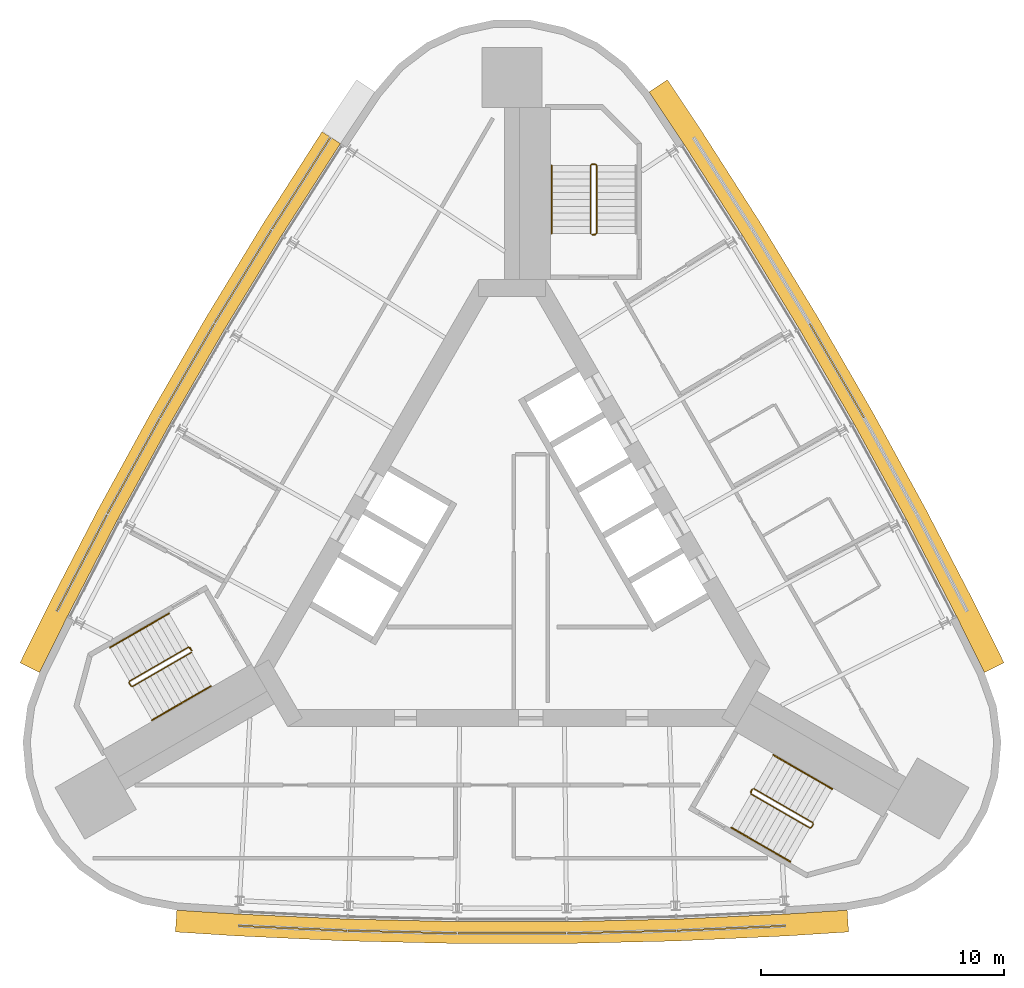
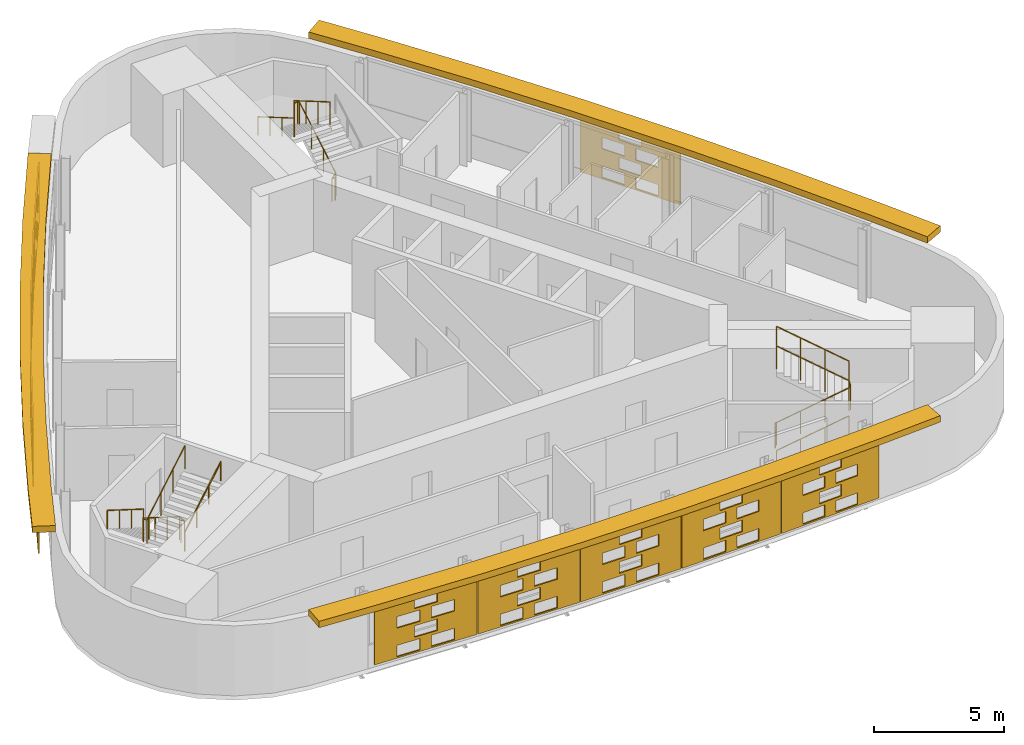
# One storey, part 9 of 10: 14 shading devices, 8 railings.
"""IFC4 building model written with IfcOpenShell, lengths in metres."""

import ifcopenshell
import ifcopenshell.guid

model = None  # the IFC model being written
_history = None  # IfcOwnerHistory: only IFC2X3 demands one
_inside = {}  # id of a spatial element -> (the spatial element, [elements in it])
_under = {}  # id of a project, library or spatial element -> (it, [spatial elements below it])
_declared = {}  # id of a project -> (the project, [libraries it declares])
_typed = {}  # id of a type object -> (the type object, [elements of that type])
_made_of = {}  # id of a material, layer set ... -> (it, [elements and type objects made of it])


def new_model(schema):
    """Start an empty IFC model of exactly this schema.

    Asked for "IFC4X3", IfcOpenShell would pick the latest addendum, in which some entities
    have other attributes; the version numbers below select the first issue.
    IFC2X3 requires an IfcOwnerHistory on every rooted entity: one is made here for all.
    """
    global model, _history
    if schema == "IFC4X3":
        model = ifcopenshell.file(schema_version=(4, 3, 0, 0))
    else:
        model = ifcopenshell.file(schema=schema)
    _inside.clear()
    _under.clear()
    _declared.clear()
    _typed.clear()
    _made_of.clear()
    _history = None
    if model.schema == "IFC2X3":
        org = make("IfcOrganization", Name="unknown")
        user = make(
            "IfcPersonAndOrganization",
            ThePerson=make("IfcPerson", FamilyName="unknown"),
            TheOrganization=org,
        )
        app = make(
            "IfcApplication",
            ApplicationDeveloper=org,
            Version="unknown",
            ApplicationFullName="unknown",
            ApplicationIdentifier="unknown",
        )
        _history = make(
            "IfcOwnerHistory",
            OwningUser=user,
            OwningApplication=app,
            ChangeAction="ADDED",
            CreationDate=0,
        )
    return model


def make(cls, **values):
    """One entity of the class cls with the attributes given. An attribute that is None is left unset."""
    return model.create_entity(
        cls, **{name: value for name, value in values.items() if value is not None}
    )


def rooted(cls, **values):
    """An entity with a GlobalId (a new one), such as an element, a storey or a relation."""
    return make(cls, GlobalId=ifcopenshell.guid.new(), OwnerHistory=_history, **values)


def si_unit(unit_type, name, prefix=None):
    """IfcSIUnit, for example si_unit("LENGTHUNIT", "METRE", prefix="MILLI")."""
    return make("IfcSIUnit", UnitType=unit_type, Prefix=prefix, Name=name)


def assignment(units):
    """IfcUnitAssignment: the units of a project."""
    return None if units is None else make("IfcUnitAssignment", Units=units)


def point(xyz):
    """IfcCartesianPoint."""
    return None if xyz is None else make("IfcCartesianPoint", Coordinates=xyz)


def direction(xyz):
    """IfcDirection."""
    return None if xyz is None else make("IfcDirection", DirectionRatios=xyz)


def frame(location, z_axis=None, x_axis=None):
    """IfcAxis2Placement3D, a coordinate frame: its origin and axes. An axis left out is left unset."""
    return make(
        "IfcAxis2Placement3D",
        Location=point(location),
        Axis=direction(z_axis),
        RefDirection=direction(x_axis),
    )


def frame_2d(location, x_axis=None):
    """IfcAxis2Placement2D, a coordinate frame in the plane: its origin and x axis."""
    return make(
        "IfcAxis2Placement2D", Location=point(location), RefDirection=direction(x_axis)
    )


def origin():
    """The frame at (0, 0, 0) with its axes left unset."""
    return frame((0.0, 0.0, 0.0))


def origin_2d():
    """The frame at (0, 0) in the plane with its x axis left unset."""
    return frame_2d((0.0, 0.0))


def place(relative_to, where):
    """IfcLocalPlacement: puts the frame where relative to a parent placement (None: the world)."""
    return make(
        "IfcLocalPlacement", PlacementRelTo=relative_to, RelativePlacement=where
    )


def context(
    kind, dimensions, precision=None, world=None, true_north=None, identifier=None
):
    """IfcGeometricRepresentationContext, for example the 3D "Model" context."""
    return make(
        "IfcGeometricRepresentationContext",
        ContextIdentifier=identifier,
        ContextType=kind,
        CoordinateSpaceDimension=dimensions,
        Precision=precision,
        WorldCoordinateSystem=world,
        TrueNorth=true_north,
    )


def subcontext(parent, identifier, kind, view, scale=None):
    """IfcGeometricRepresentationSubContext, for example "Body" below "Model"."""
    return make(
        "IfcGeometricRepresentationSubContext",
        ContextIdentifier=identifier,
        ContextType=kind,
        ParentContext=parent,
        TargetScale=scale,
        TargetView=view,
    )


def project(units=None, contexts=None):
    """IfcProject with its units and contexts."""
    return rooted(
        "IfcProject",
        Name="project",
        RepresentationContexts=contexts,
        UnitsInContext=assignment(units),
    )


def spatial(cls, under=None, at=None, **own):
    """A site, building, storey or space (cls), placed at a placement, below another one or the project."""
    s = rooted(cls, ObjectPlacement=at, **own)
    if under is not None:
        _under.setdefault(under.id(), (under, []))[1].append(s)
    return s


def polyline(points):
    """IfcPolyline through the points."""
    return make("IfcPolyline", Points=[point(p) for p in points])


def profile(cls, at=None, kind="AREA", **sizes):
    """A parametric profile (cls). Its sizes go by their IFC names, for example OverallWidth=200.0."""
    return make(cls, ProfileType=kind, Position=at, **sizes)


def circle(**sizes):
    """IfcCircleProfileDef."""
    return profile("IfcCircleProfileDef", **sizes)


def outline(outer, holes=None, kind="AREA"):
    """IfcArbitraryClosedProfileDef: a profile drawn as a closed curve; with holes, ...WithVoids."""
    if holes is None:
        return make("IfcArbitraryClosedProfileDef", ProfileType=kind, OuterCurve=outer)
    return make(
        "IfcArbitraryProfileDefWithVoids",
        ProfileType=kind,
        OuterCurve=outer,
        InnerCurves=holes,
    )


def extrude(swept, where, along, depth):
    """IfcExtrudedAreaSolid: the profile swept, set in the frame where, extruded along a direction by depth."""
    return make(
        "IfcExtrudedAreaSolid",
        SweptArea=swept,
        Position=where,
        ExtrudedDirection=direction(along),
        Depth=depth,
    )


def shape(context_of_items, identifier, shape_type, items):
    """IfcShapeRepresentation: the items that make up one representation, for example the "Body"."""
    return make(
        "IfcShapeRepresentation",
        ContextOfItems=context_of_items,
        RepresentationIdentifier=identifier,
        RepresentationType=shape_type,
        Items=items,
    )


def material(Name=None, Category=None):
    """IfcMaterial."""
    return make("IfcMaterial", Name=Name, Category=Category)


def material_profile(
    of_material, cross_section, Name=None, Category=None, Priority=None
):
    """IfcMaterialProfile: a cross section and its material."""
    return make(
        "IfcMaterialProfile",
        Name=Name,
        Material=of_material,
        Profile=cross_section,
        Priority=Priority,
        Category=Category,
    )


def profile_set(profiles, Name=None, composite=None):
    """IfcMaterialProfileSet."""
    return make(
        "IfcMaterialProfileSet",
        Name=Name,
        MaterialProfiles=profiles,
        CompositeProfile=composite,
    )


def made_of(thing, what):
    """Note that an element or type object is made of a material, layer set ...; save() writes the relation."""
    if what is not None:
        _made_of.setdefault(what.id(), (what, []))[1].append(thing)
    return thing


def type_object(cls, material=None, **own):
    """A type object (cls), such as IfcWallType, which elements share."""
    return made_of(rooted(cls, **own), material)


def element(
    cls,
    number,
    at=None,
    inside=None,
    cuts=None,
    type_object=None,
    material=None,
    context=None,
    identifier="Body",
    shape_type=None,
    held_by="IfcProductDefinitionShape",
    body=None,
    shapes=None,
    **own,
):
    """One element of the class cls, such as IfcWall. Its Tag is "e" and its number.

    at: its placement. inside: the storey or other place that contains it. cuts: it is an
    opening in that element (IfcRelVoidsElement). A single representation is given by context,
    identifier, shape_type and body (its items); several are given by shapes. held_by: the class
    of the entity that holds the representations. save() writes the other relations.
    """
    e = rooted(cls, Tag="e%d" % number, ObjectPlacement=at, **own)
    if body is not None:
        shapes = [shape(context, identifier, shape_type, body)]
    if shapes is not None:
        e.Representation = make(held_by, Representations=shapes)
    if inside is not None:
        _inside.setdefault(inside.id(), (inside, []))[1].append(e)
    if cuts is not None:
        rooted(
            "IfcRelVoidsElement", RelatingBuildingElement=cuts, RelatedOpeningElement=e
        )
    if type_object is not None:
        _typed.setdefault(type_object.id(), (type_object, []))[1].append(e)
    return made_of(e, material)


def aggregate(whole, parts):
    """IfcRelAggregates: a whole, such as a stair, and the parts it consists of."""
    return rooted("IfcRelAggregates", RelatingObject=whole, RelatedObjects=parts)


def save(model, path):
    """Write the relations noted so far, then the file.

    IfcRelAggregates (storeys below a building ...), IfcRelContainedInSpatialStructure (elements
    in a storey), IfcRelDefinesByType, IfcRelAssociatesMaterial and IfcRelDeclares: one each for
    every whole, place, type object, material and project.
    """
    for whole, parts in _under.values():
        aggregate(whole, parts)
    for where, things in _inside.values():
        rooted(
            "IfcRelContainedInSpatialStructure",
            RelatedElements=things,
            RelatingStructure=where,
        )
    for kind, things in _typed.values():
        rooted("IfcRelDefinesByType", RelatedObjects=things, RelatingType=kind)
    for what, things in _made_of.values():
        rooted("IfcRelAssociatesMaterial", RelatedObjects=things, RelatingMaterial=what)
    for by, libraries in _declared.values():
        rooted("IfcRelDeclares", RelatingContext=by, RelatedDefinitions=libraries)
    model.write(path)


model = new_model("IFC4")

# Units and contexts
model_context = context("Model", 3, precision=1e-05, world=origin(), true_north=direction((0.0, 1.0)))
body_context = subcontext(model_context, "Body", "Model", "MODEL_VIEW")
ifc_project = project(units=[si_unit("LENGTHUNIT", "METRE"), si_unit("AREAUNIT", "SQUARE_METRE"), si_unit("VOLUMEUNIT", "CUBIC_METRE"), si_unit("PLANEANGLEUNIT", "RADIAN"), si_unit("MASSUNIT", "GRAM", prefix="KILO")], contexts=[model_context])

# Site, building, storey
site_placement = place(None, origin())
site = spatial("IfcSite", under=ifc_project, at=site_placement, CompositionType="ELEMENT")
building_placement = place(site_placement, origin())
building = spatial("IfcBuilding", under=site, at=building_placement, Name="Noor Cloister Tower", CompositionType="ELEMENT")
storey_placement = place(building_placement, frame((0.0, 0.0, 243.60009765625)))
storey = spatial("IfcBuildingStorey", under=building, at=storey_placement, Name="L63", CompositionType="ELEMENT", Elevation=243.60009765625)

# Shading devices
ifc_material_1 = material(Name="Limestone", Category="masonry")
ifc_material_profile = material_profile(ifc_material_1, outline(polyline([(-2.22998046875, -1.35009765625), (2.22998046875, -1.35009765625), (2.22998046875, 1.35009765625), (-2.22998046875, 1.35009765625), (-2.22998046875, -1.35009765625)]), holes=[polyline([(-1.25, -1.282470703125), (-0.25, -1.282470703125), (-0.25, -0.742431640625), (-1.25, -0.742431640625), (-1.25, -1.282470703125)]), polyline([(0.25, -1.282470703125), (1.25, -1.282470703125), (1.25, -0.742431640625), (0.25, -0.742431640625), (0.25, -1.282470703125)]), polyline([(-0.5, -0.607421875), (0.5, -0.607421875), (0.5, -0.0673828125), (-0.5, -0.0673828125), (-0.5, -0.607421875)]), polyline([(-1.25, 0.0673828125), (-0.25, 0.0673828125), (-0.25, 0.607421875), (-1.25, 0.607421875), (-1.25, 0.0673828125)]), polyline([(0.25, 0.0673828125), (1.25, 0.0673828125), (1.25, 0.607421875), (0.25, 0.607421875), (0.25, 0.0673828125)]), polyline([(-0.5, 0.742431640625), (0.5, 0.742431640625), (0.5, 1.282470703125), (-0.5, 1.282470703125), (-0.5, 0.742431640625)])]), Name="Woven screen 35 percent open")
ifc_profile_set = profile_set([ifc_material_profile], Name="Limestone")
shading_device_type_1 = type_object("IfcShadingDeviceType", Name="SCREEN woven limestone 35 percent open", PredefinedType="USERDEFINED", material=ifc_profile_set)
for number, where, z_axis, x_axis, name in (
    (1, (-8.649169921875, 15.405517578125, 1.849853515625), (-0.8431579539, 0.537665941617, 0.0), (-0.537665941617, -0.8431579539, 0.0), "SCREEN L63 1"),
    (2, (-11.037109375, 11.57958984375, 1.849853515625), (-0.853884327381, 0.520462828118, 0.0), (-0.520462828118, -0.853884327381, 0.0), "SCREEN L63 2"),
    (3, (-13.336669921875, 7.699951171875, 1.849853515625), (-0.865982457891, 0.500074377092, 0.0), (-0.500074377092, -0.865982457891, 0.0), "SCREEN L63 3"),
):
    element("IfcShadingDevice", number, at=place(storey_placement, frame(where, z_axis=z_axis, x_axis=x_axis)), inside=storey, type_object=shading_device_type_1, Name=name, ObjectType="SCREEN", PredefinedType="USERDEFINED", context=body_context, shape_type="SweptSolid", body=[
        extrude(outline(polyline([(-2.22998046875, -1.35009765625), (2.22998046875, -1.35009765625), (2.22998046875, 1.35009765625), (-2.22998046875, 1.35009765625), (-2.22998046875, -1.35009765625)]), holes=[polyline([(-1.25, -1.282470703125), (-0.25, -1.282470703125), (-0.25, -0.742431640625), (-1.25, -0.742431640625), (-1.25, -1.282470703125)]), polyline([(0.25, -1.282470703125), (1.25, -1.282470703125), (1.25, -0.742431640625), (0.25, -0.742431640625), (0.25, -1.282470703125)]), polyline([(-0.5, -0.607421875), (0.5, -0.607421875), (0.5, -0.0673828125), (-0.5, -0.0673828125), (-0.5, -0.607421875)]), polyline([(-1.25, 0.0673828125), (-0.25, 0.0673828125), (-0.25, 0.607421875), (-1.25, 0.607421875), (-1.25, 0.0673828125)]), polyline([(0.25, 0.0673828125), (1.25, 0.0673828125), (1.25, 0.607421875), (0.25, 0.607421875), (0.25, 0.0673828125)]), polyline([(-0.5, 0.742431640625), (0.5, 0.742431640625), (0.5, 1.282470703125), (-0.5, 1.282470703125), (-0.5, 0.742431640625)])]), origin(), (0.0, 0.0, 1.0), 0.06005859375),
    ])
shading_device_1_placement = place(storey_placement, frame((-15.546875, 3.768798828125, 1.849853515625), z_axis=(-0.876645997325, 0.481135942718, 0.0), x_axis=(-0.481135942718, -0.876645997325, 0.0)))
element("IfcShadingDevice", 4, at=shading_device_1_placement, inside=storey, type_object=shading_device_type_1, Name="SCREEN L63 4", ObjectType="SCREEN", PredefinedType="USERDEFINED", context=body_context, shape_type="SweptSolid", body=[
    extrude(outline(polyline([(-2.22998046875, -1.35009765625), (2.22998046875, -1.35009765625), (2.22998046875, 1.35009765625), (-2.22998046875, 1.35009765625), (-2.22998046875, -1.35009765625)]), holes=[polyline([(-1.25, -1.282470703125), (-0.25, -1.282470703125), (-0.25, -0.742431640625), (-1.25, -0.742431640625), (-1.25, -1.282470703125)]), polyline([(0.25, -1.282470703125), (1.25, -1.282470703125), (1.25, -0.742431640625), (0.25, -0.742431640625), (0.25, -1.282470703125)]), polyline([(-0.5, -0.607421875), (0.5, -0.607421875), (0.5, -0.0673828125), (-0.5, -0.0673828125), (-0.5, -0.607421875)]), polyline([(-1.25, 0.0673828125), (-0.25, 0.0673828125), (-0.25, 0.607421875), (-1.25, 0.607421875), (-1.25, 0.0673828125)]), polyline([(0.25, 0.0673828125), (1.25, 0.0673828125), (1.25, 0.607421875), (0.25, 0.607421875), (0.25, 0.0673828125)]), polyline([(-0.5, 0.742431640625), (0.5, 0.742431640625), (0.5, 1.282470703125), (-0.5, 1.282470703125), (-0.5, 0.742431640625)])]), origin(), (0.0, 0.0, 1.0), 0.059814453125),
])
for number, where, z_axis, x_axis, name in (
    (5, (-17.666259765625, -0.212158203125, 1.849853515625), (-0.887816162103, 0.460198285861, 0.0), (-0.460198285861, -0.887816162103, 0.0), "SCREEN L63 5"),
    (6, (-9.016845703125, -15.193115234375, 1.849853515625), (-0.044670810456, -0.999001761106, 0.0), (0.999001761106, -0.044670810456, 0.0), "SCREEN L63 1"),
):
    element("IfcShadingDevice", number, at=place(storey_placement, frame(where, z_axis=z_axis, x_axis=x_axis)), inside=storey, type_object=shading_device_type_1, Name=name, ObjectType="SCREEN", PredefinedType="USERDEFINED", context=body_context, shape_type="SweptSolid", body=[
        extrude(outline(polyline([(-2.22998046875, -1.35009765625), (2.22998046875, -1.35009765625), (2.22998046875, 1.35009765625), (-2.22998046875, 1.35009765625), (-2.22998046875, -1.35009765625)]), holes=[polyline([(-1.25, -1.282470703125), (-0.25, -1.282470703125), (-0.25, -0.742431640625), (-1.25, -0.742431640625), (-1.25, -1.282470703125)]), polyline([(0.25, -1.282470703125), (1.25, -1.282470703125), (1.25, -0.742431640625), (0.25, -0.742431640625), (0.25, -1.282470703125)]), polyline([(-0.5, -0.607421875), (0.5, -0.607421875), (0.5, -0.0673828125), (-0.5, -0.0673828125), (-0.5, -0.607421875)]), polyline([(-1.25, 0.0673828125), (-0.25, 0.0673828125), (-0.25, 0.607421875), (-1.25, 0.607421875), (-1.25, 0.0673828125)]), polyline([(0.25, 0.0673828125), (1.25, 0.0673828125), (1.25, 0.607421875), (0.25, 0.607421875), (0.25, 0.0673828125)]), polyline([(-0.5, 0.742431640625), (0.5, 0.742431640625), (0.5, 1.282470703125), (-0.5, 1.282470703125), (-0.5, 0.742431640625)])]), origin(), (0.0, 0.0, 1.0), 0.06005859375),
    ])
shading_device_2_placement = place(storey_placement, frame((-4.509521484375, -15.348388671875, 1.849853515625), z_axis=(-0.024482455341, -0.999700259768, 0.0), x_axis=(0.999700259768, -0.024482455341, 0.0)))
element("IfcShadingDevice", 7, at=shading_device_2_placement, inside=storey, type_object=shading_device_type_1, Name="SCREEN L63 2", ObjectType="SCREEN", PredefinedType="USERDEFINED", context=body_context, shape_type="SweptSolid", body=[
    extrude(outline(polyline([(-2.22998046875, -1.35009765625), (2.22998046875, -1.35009765625), (2.22998046875, 1.35009765625), (-2.22998046875, 1.35009765625), (-2.22998046875, -1.35009765625)]), holes=[polyline([(-1.25, -1.282470703125), (-0.25, -1.282470703125), (-0.25, -0.742431640625), (-1.25, -0.742431640625), (-1.25, -1.282470703125)]), polyline([(0.25, -1.282470703125), (1.25, -1.282470703125), (1.25, -0.742431640625), (0.25, -0.742431640625), (0.25, -1.282470703125)]), polyline([(-0.5, -0.607421875), (0.5, -0.607421875), (0.5, -0.0673828125), (-0.5, -0.0673828125), (-0.5, -0.607421875)]), polyline([(-1.25, 0.0673828125), (-0.25, 0.0673828125), (-0.25, 0.607421875), (-1.25, 0.607421875), (-1.25, 0.0673828125)]), polyline([(0.25, 0.0673828125), (1.25, 0.0673828125), (1.25, 0.607421875), (0.25, 0.607421875), (0.25, 0.0673828125)]), polyline([(-0.5, 0.742431640625), (0.5, 0.742431640625), (0.5, 1.282470703125), (-0.5, 1.282470703125), (-0.5, 0.742431640625)])]), origin(), (0.0, 0.0, 1.0), 0.059814453125),
])
shading_device_3_placement = place(storey_placement, frame((0.0, -15.39990234375, 1.849853515625), z_axis=(0.0, -1.0, 0.0), x_axis=(1.0, 0.0, 0.0)))
element("IfcShadingDevice", 8, at=shading_device_3_placement, inside=storey, type_object=shading_device_type_1, Name="SCREEN L63 3", ObjectType="SCREEN", PredefinedType="USERDEFINED", context=body_context, shape_type="SweptSolid", body=[
    extrude(outline(polyline([(-2.22998046875, -1.35009765625), (2.22998046875, -1.35009765625), (2.22998046875, 1.35009765625), (-2.22998046875, 1.35009765625), (-2.22998046875, -1.35009765625)]), holes=[polyline([(-1.25, -1.282470703125), (-0.25, -1.282470703125), (-0.25, -0.742431640625), (-1.25, -0.742431640625), (-1.25, -1.282470703125)]), polyline([(0.25, -1.282470703125), (1.25, -1.282470703125), (1.25, -0.742431640625), (0.25, -0.742431640625), (0.25, -1.282470703125)]), polyline([(-0.5, -0.607421875), (0.5, -0.607421875), (0.5, -0.0673828125), (-0.5, -0.0673828125), (-0.5, -0.607421875)]), polyline([(-1.25, 0.0673828125), (-0.25, 0.0673828125), (-0.25, 0.607421875), (-1.25, 0.607421875), (-1.25, 0.0673828125)]), polyline([(0.25, 0.0673828125), (1.25, 0.0673828125), (1.25, 0.607421875), (0.25, 0.607421875), (0.25, 0.0673828125)]), polyline([(-0.5, 0.742431640625), (0.5, 0.742431640625), (0.5, 1.282470703125), (-0.5, 1.282470703125), (-0.5, 0.742431640625)])]), origin(), (0.0, 0.0, 1.0), 0.06005859375),
])
shading_device_4_placement = place(storey_placement, frame((4.509521484375, -15.348388671875, 1.849853515625), z_axis=(0.024482455341, -0.999700259768, 0.0), x_axis=(0.999700259768, 0.024482455341, 0.0)))
element("IfcShadingDevice", 9, at=shading_device_4_placement, inside=storey, type_object=shading_device_type_1, Name="SCREEN L63 4", ObjectType="SCREEN", PredefinedType="USERDEFINED", context=body_context, shape_type="SweptSolid", body=[
    extrude(outline(polyline([(-2.22998046875, -1.35009765625), (2.22998046875, -1.35009765625), (2.22998046875, 1.35009765625), (-2.22998046875, 1.35009765625), (-2.22998046875, -1.35009765625)]), holes=[polyline([(-1.25, -1.282470703125), (-0.25, -1.282470703125), (-0.25, -0.742431640625), (-1.25, -0.742431640625), (-1.25, -1.282470703125)]), polyline([(0.25, -1.282470703125), (1.25, -1.282470703125), (1.25, -0.742431640625), (0.25, -0.742431640625), (0.25, -1.282470703125)]), polyline([(-0.5, -0.607421875), (0.5, -0.607421875), (0.5, -0.0673828125), (-0.5, -0.0673828125), (-0.5, -0.607421875)]), polyline([(-1.25, 0.0673828125), (-0.25, 0.0673828125), (-0.25, 0.607421875), (-1.25, 0.607421875), (-1.25, 0.0673828125)]), polyline([(0.25, 0.0673828125), (1.25, 0.0673828125), (1.25, 0.607421875), (0.25, 0.607421875), (0.25, 0.0673828125)]), polyline([(-0.5, 0.742431640625), (0.5, 0.742431640625), (0.5, 1.282470703125), (-0.5, 1.282470703125), (-0.5, 0.742431640625)])]), origin(), (0.0, 0.0, 1.0), 0.059814453125),
])
for number, where, z_axis, x_axis, name in (
    (10, (9.016845703125, -15.193115234375, 1.849853515625), (0.044670810456, -0.999001761106, 0.0), (0.999001761106, 0.044670810456, 0.0), "SCREEN L63 5"),
    (11, (13.336669921875, 7.699951171875, 1.849853515625), (0.865982457891, 0.500074377092, 0.0), (-0.500074377092, 0.865982457891, 0.0), "SCREEN L63 3"),
):
    element("IfcShadingDevice", number, at=place(storey_placement, frame(where, z_axis=z_axis, x_axis=x_axis)), inside=storey, type_object=shading_device_type_1, Name=name, ObjectType="SCREEN", PredefinedType="USERDEFINED", context=body_context, shape_type="SweptSolid", body=[
        extrude(outline(polyline([(-2.22998046875, -1.35009765625), (2.22998046875, -1.35009765625), (2.22998046875, 1.35009765625), (-2.22998046875, 1.35009765625), (-2.22998046875, -1.35009765625)]), holes=[polyline([(-1.25, -1.282470703125), (-0.25, -1.282470703125), (-0.25, -0.742431640625), (-1.25, -0.742431640625), (-1.25, -1.282470703125)]), polyline([(0.25, -1.282470703125), (1.25, -1.282470703125), (1.25, -0.742431640625), (0.25, -0.742431640625), (0.25, -1.282470703125)]), polyline([(-0.5, -0.607421875), (0.5, -0.607421875), (0.5, -0.0673828125), (-0.5, -0.0673828125), (-0.5, -0.607421875)]), polyline([(-1.25, 0.0673828125), (-0.25, 0.0673828125), (-0.25, 0.607421875), (-1.25, 0.607421875), (-1.25, 0.0673828125)]), polyline([(0.25, 0.0673828125), (1.25, 0.0673828125), (1.25, 0.607421875), (0.25, 0.607421875), (0.25, 0.0673828125)]), polyline([(-0.5, 0.742431640625), (0.5, 0.742431640625), (0.5, 1.282470703125), (-0.5, 1.282470703125), (-0.5, 0.742431640625)])]), origin(), (0.0, 0.0, 1.0), 0.06005859375),
    ])
ifc_material_2 = material(Name="Limestone", Category="masonry")
shading_device_type_2 = type_object("IfcShadingDeviceType", Name="SUNSHADE limestone band 900", PredefinedType="USERDEFINED", material=ifc_material_2)
shading_device_5_placement = place(storey_placement, frame((0.0, 0.0, 3.2998046875)))
element("IfcShadingDevice", 12, at=shading_device_5_placement, inside=storey, type_object=shading_device_type_2, Name="SUNSHADE L63 1", ObjectType="SUNSHADE", PredefinedType="USERDEFINED", context=body_context, shape_type="SweptSolid", body=[
    extrude(outline(polyline([(-7.815185546875, 17.54296875), (-10.246826171875, 13.744384765625), (-12.596435546875, 9.88232421875), (-14.856689453125, 5.967529296875), (-17.026611328125, 2.001953125), (-19.10400390625, -2.010498046875), (-20.2392578125, -4.30322265625), (-19.4326171875, -4.702392578125), (-18.301025390625, -2.417236328125), (-16.232177734375, 1.578857421875), (-14.072021484375, 5.5263671875), (-11.822021484375, 9.423583984375), (-9.4833984375, 13.267822265625), (-7.05712890625, 17.0576171875), (-7.815185546875, 17.54296875)])), origin(), (0.0, 0.0, 1.0), 0.300048828125),
])
shading_device_6_placement = place(storey_placement, frame((0.0, 0.0, 3.2998046875)))
element("IfcShadingDevice", 13, at=shading_device_6_placement, inside=storey, type_object=shading_device_type_2, Name="SUNSHADE L63 2", ObjectType="SUNSHADE", PredefinedType="USERDEFINED", context=body_context, shape_type="SweptSolid", body=[
    extrude(outline(polyline([(-13.84619140625, -15.376220703125), (-11.293212890625, -15.539306640625), (-6.779541015625, -15.746337890625), (-2.26025390625, -15.85009765625), (2.26025390625, -15.85009765625), (6.779541015625, -15.746337890625), (11.293212890625, -15.539306640625), (13.84619140625, -15.376220703125), (13.788818359375, -14.47802734375), (11.243896484375, -14.640625), (6.748779296875, -14.846923828125), (2.25, -14.949951171875), (-2.25, -14.949951171875), (-6.748779296875, -14.846923828125), (-11.243896484375, -14.640625), (-13.788818359375, -14.47802734375), (-13.84619140625, -15.376220703125)])), origin(), (0.0, 0.0, 1.0), 0.300048828125),
])
shading_device_7_placement = place(storey_placement, frame((0.0, 0.0, 3.2998046875)))
element("IfcShadingDevice", 14, at=shading_device_7_placement, inside=storey, type_object=shading_device_type_2, Name="SUNSHADE L63 3", ObjectType="SUNSHADE", PredefinedType="USERDEFINED", context=body_context, shape_type="SweptSolid", body=[
    extrude(outline(polyline([(20.2392578125, -4.30322265625), (19.10400390625, -2.010498046875), (17.026611328125, 2.001953125), (14.856689453125, 5.967529296875), (12.596435546875, 9.88232421875), (10.246826171875, 13.744384765625), (7.810791015625, 17.5498046875), (6.39306640625, 19.67919921875), (5.643798828125, 19.180419921875), (7.05712890625, 17.0576171875), (9.4833984375, 13.267822265625), (11.822021484375, 9.423583984375), (14.072021484375, 5.5263671875), (16.232177734375, 1.578857421875), (18.301025390625, -2.417236328125), (19.4326171875, -4.702392578125), (20.2392578125, -4.30322265625)])), origin(), (0.0, 0.0, 1.0), 0.300048828125),
])

# Railings
ifc_material_3 = material(Name="Stainless steel", Category="steel")
railing_type_1 = type_object("IfcRailingType", Name="Stair guard 1100", PredefinedType="GUARDRAIL", material=ifc_material_3)
railing_1_placement = place(storey_placement, frame((3.435546875, 13.306396484375, 0.0)))
element("IfcRailing", 15, at=railing_1_placement, inside=storey, type_object=railing_type_1, Name="Stair guard ST1 L63", PredefinedType="GUARDRAIL", context=body_context, shape_type="SweptSolid", body=[
    extrude(circle(Radius=0.02392578125, at=origin_2d()), frame((0.0, 0.0, 1.076171875), z_axis=(-1.0, 0.0, 0.0), x_axis=(0.0, -1.0, 0.0)), (0.0, 0.0, 1.0), 0.14990234375),
    extrude(circle(Radius=0.02392578125, at=origin_2d()), frame((-0.14990234375, 0.0, 1.076171875), z_axis=(0.759870394187, 0.190199549216, 0.621627795), x_axis=(-0.242814311512, 0.970072785993, 0.0)), (0.0, 0.0, 1.0), 0.26318359375),
    extrude(circle(Radius=0.02392578125, at=origin_2d()), frame((0.050048828125, 0.050048828125, 1.23974609375), z_axis=(0.0, 0.863393664356, 0.504530851732), x_axis=(-1.0, 0.0, 0.0)), (0.0, 0.0, 1.0), 3.2431640625),
    extrude(circle(Radius=0.02392578125, at=origin_2d()), frame((0.050048828125, 2.85009765625, 2.8759765625), z_axis=(-0.708833529934, 0.705375805398, 0.0), x_axis=(-0.705375805398, -0.708833529934, 0.0)), (0.0, 0.0, 1.0), 0.070556640625),
    extrude(circle(Radius=0.02392578125, at=origin_2d()), frame((0.0, 2.89990234375, 2.8759765625), z_axis=(-1.0, 0.0, 0.0), x_axis=(0.0, -1.0, 0.0)), (0.0, 0.0, 1.0), 0.14990234375),
    extrude(circle(Radius=0.02392578125, at=origin_2d()), frame((-0.14990234375, 2.89990234375, 2.8759765625), z_axis=(-0.280563532951, -0.279194930351, 0.91833234444), x_axis=(0.705375805398, -0.708833529934, 0.0)), (0.0, 0.0, 1.0), 0.178466796875),
    extrude(circle(Radius=0.02392578125, at=origin_2d()), frame((-0.199951171875, 2.85009765625, 3.03955078125), z_axis=(0.0, -0.863393664356, 0.504530851732), x_axis=(1.0, 0.0, 0.0)), (0.0, 0.0, 1.0), 3.2431640625),
    extrude(circle(Radius=0.02099609375, at=origin_2d()), origin(), (0.0, 0.0, 1.0), 1.052001953125),
    extrude(circle(Radius=0.02099609375, at=origin_2d()), frame((-0.14990234375, 0.0, 0.0)), (0.0, 0.0, 1.0), 1.052001953125),
    extrude(circle(Radius=0.02099609375, at=origin_2d()), frame((0.050048828125, 0.050048828125, 0.16357421875)), (0.0, 0.0, 1.0), 1.052001953125),
    extrude(circle(Radius=0.02099609375, at=origin_2d()), frame((0.050048828125, 0.9833984375, 0.708984375)), (0.0, 0.0, 1.0), 1.052001953125),
    extrude(circle(Radius=0.02099609375, at=origin_2d()), frame((0.050048828125, 1.916748046875, 1.25439453125)), (0.0, 0.0, 1.0), 1.052001953125),
    extrude(circle(Radius=0.02099609375, at=origin_2d()), frame((0.050048828125, 2.85009765625, 1.7998046875)), (0.0, 0.0, 1.0), 1.052001953125),
    extrude(circle(Radius=0.02099609375, at=origin_2d()), frame((0.0, 2.89990234375, 1.7998046875)), (0.0, 0.0, 1.0), 1.052001953125),
    extrude(circle(Radius=0.02099609375, at=origin_2d()), frame((-0.14990234375, 2.89990234375, 1.7998046875)), (0.0, 0.0, 1.0), 1.052001953125),
    extrude(circle(Radius=0.02099609375, at=origin_2d()), frame((-0.199951171875, 2.85009765625, 1.963623046875)), (0.0, 0.0, 1.0), 1.052001953125),
    extrude(circle(Radius=0.02099609375, at=origin_2d()), frame((-0.199951171875, 1.916748046875, 2.509033203125)), (0.0, 0.0, 1.0), 1.052001953125),
    extrude(circle(Radius=0.02099609375, at=origin_2d()), frame((-0.199951171875, 0.9833984375, 3.054443359375)), (0.0, 0.0, 1.0), 1.052001953125),
    extrude(circle(Radius=0.02099609375, at=origin_2d()), frame((-0.199951171875, 0.050048828125, 3.599853515625)), (0.0, 0.0, 1.0), 1.052001953125),
])
railing_2_placement = place(storey_placement, frame((-13.241455078125, -3.677734375, 0.0)))
element("IfcRailing", 16, at=railing_2_placement, inside=storey, type_object=railing_type_1, Name="Stair guard ST2 L63", PredefinedType="GUARDRAIL", context=body_context, shape_type="SweptSolid", body=[
    extrude(circle(Radius=0.02392578125, at=origin_2d()), frame((0.0, 0.0, 1.076171875), z_axis=(0.499112439033, -0.866537231285, 0.0), x_axis=(0.866537231285, 0.499112439033, 0.0)), (0.0, 0.0, 1.0), 0.150146484375),
    extrude(circle(Radius=0.02392578125, at=origin_2d()), frame((0.074951171875, -0.130126953125, 1.076171875), z_axis=(-0.544565797804, 0.563119998752, 0.621565731736), x_axis=(-0.718850276695, -0.695164929852, 0.0)), (0.0, 0.0, 1.0), 0.26318359375),
    extrude(circle(Radius=0.02392578125, at=origin_2d()), frame((-0.068359375, 0.01806640625, 1.23974609375), z_axis=(-0.74771821388, -0.431677027627, 0.504551698492), x_axis=(0.49998411664, -0.866034573852, 0.0)), (0.0, 0.0, 1.0), 3.242919921875),
    extrude(circle(Radius=0.02392578125, at=origin_2d()), frame((-2.4931640625, -1.3818359375, 2.8759765625), z_axis=(-0.258736085224, -0.965948051503, 0.0), x_axis=(0.965948051503, -0.258736085224, 0.0)), (0.0, 0.0, 1.0), 0.07080078125),
    extrude(circle(Radius=0.02392578125, at=origin_2d()), frame((-2.511474609375, -1.4501953125, 2.8759765625), z_axis=(0.499816412211, -0.866131372301, 0.0), x_axis=(0.866131372301, 0.499816412211, 0.0)), (0.0, 0.0, 1.0), 0.14990234375),
    extrude(circle(Radius=0.02392578125, at=origin_2d()), frame((-2.4365234375, -1.580078125, 2.8759765625), z_axis=(0.383070988865, -0.102608300589, 0.918002262601), x_axis=(0.258736085224, 0.965948051503, 0.0)), (0.0, 0.0, 1.0), 0.178466796875),
    extrude(circle(Radius=0.02392578125, at=origin_2d()), frame((-2.3681640625, -1.598388671875, 3.03955078125), z_axis=(0.747693913401, 0.431738279637, 0.504535300807), x_axis=(-0.500049511043, 0.865996816683, 0.0)), (0.0, 0.0, 1.0), 3.2431640625),
    extrude(circle(Radius=0.02099609375, at=origin_2d()), origin(), (0.0, 0.0, 1.0), 1.052001953125),
    extrude(circle(Radius=0.02099609375, at=origin_2d()), frame((0.074951171875, -0.130126953125, 0.0)), (0.0, 0.0, 1.0), 1.052001953125),
    extrude(circle(Radius=0.02099609375, at=origin_2d()), frame((-0.068359375, 0.01806640625, 0.16357421875)), (0.0, 0.0, 1.0), 1.052001953125),
    extrude(circle(Radius=0.02099609375, at=origin_2d()), frame((-0.876708984375, -0.448486328125, 0.708984375)), (0.0, 0.0, 1.0), 1.052001953125),
    extrude(circle(Radius=0.02099609375, at=origin_2d()), frame((-1.684814453125, -0.915283203125, 1.25439453125)), (0.0, 0.0, 1.0), 1.052001953125),
    extrude(circle(Radius=0.02099609375, at=origin_2d()), frame((-2.4931640625, -1.3818359375, 1.7998046875)), (0.0, 0.0, 1.0), 1.052001953125),
    extrude(circle(Radius=0.02099609375, at=origin_2d()), frame((-2.511474609375, -1.4501953125, 1.7998046875)), (0.0, 0.0, 1.0), 1.052001953125),
    extrude(circle(Radius=0.02099609375, at=origin_2d()), frame((-2.4365234375, -1.580078125, 1.7998046875)), (0.0, 0.0, 1.0), 1.052001953125),
    extrude(circle(Radius=0.02099609375, at=origin_2d()), frame((-2.3681640625, -1.598388671875, 1.963623046875)), (0.0, 0.0, 1.0), 1.052001953125),
    extrude(circle(Radius=0.02099609375, at=origin_2d()), frame((-1.559814453125, -1.131591796875, 2.509033203125)), (0.0, 0.0, 1.0), 1.052001953125),
    extrude(circle(Radius=0.02099609375, at=origin_2d()), frame((-0.751708984375, -0.6650390625, 3.054443359375)), (0.0, 0.0, 1.0), 1.052001953125),
    extrude(circle(Radius=0.02099609375, at=origin_2d()), frame((0.056640625, -0.1982421875, 3.599853515625)), (0.0, 0.0, 1.0), 1.052001953125),
])
railing_3_placement = place(storey_placement, frame((9.805908203125, -9.628662109375, 0.0)))
element("IfcRailing", 17, at=railing_3_placement, inside=storey, type_object=railing_type_1, Name="Stair guard ST3 L63", PredefinedType="GUARDRAIL", context=body_context, shape_type="SweptSolid", body=[
    extrude(circle(Radius=0.02392578125, at=origin_2d()), frame((0.0, 0.0, 1.076171875), z_axis=(0.499112439033, 0.866537231285, 0.0), x_axis=(-0.866537231285, 0.499112439033, 0.0)), (0.0, 0.0, 1.0), 0.150146484375),
    extrude(circle(Radius=0.02392578125, at=origin_2d()), frame((0.074951171875, 0.130126953125, 1.076171875), z_axis=(-0.215214839654, -0.753251938789, 0.621525614518), x_axis=(0.961523947641, -0.274721127897, 0.0)), (0.0, 0.0, 1.0), 0.26318359375),
    extrude(circle(Radius=0.02392578125, at=origin_2d()), frame((0.018310546875, -0.068115234375, 1.23974609375), z_axis=(0.747693913401, -0.431738279637, 0.504535300807), x_axis=(0.500049511043, 0.865996816683, 0.0)), (0.0, 0.0, 1.0), 3.2431640625),
    extrude(circle(Radius=0.02392578125, at=origin_2d()), frame((2.443115234375, -1.46826171875, 2.8759765625), z_axis=(0.965948051503, 0.258736085224, 0.0), x_axis=(-0.258736085224, 0.965948051503, 0.0)), (0.0, 0.0, 1.0), 0.07080078125),
    extrude(circle(Radius=0.02392578125, at=origin_2d()), frame((2.511474609375, -1.449951171875, 2.8759765625), z_axis=(0.499816412211, 0.866131372301, 0.0), x_axis=(-0.866131372301, 0.499816412211, 0.0)), (0.0, 0.0, 1.0), 0.14990234375),
    extrude(circle(Radius=0.02392578125, at=origin_2d()), frame((2.58642578125, -1.320068359375, 2.8759765625), z_axis=(-0.102608300589, 0.383070988865, 0.918002262601), x_axis=(-0.965948051503, -0.258736085224, 0.0)), (0.0, 0.0, 1.0), 0.178466796875),
    extrude(circle(Radius=0.02392578125, at=origin_2d()), frame((2.568115234375, -1.251708984375, 3.03955078125), z_axis=(-0.74771821388, 0.431677027627, 0.504551698492), x_axis=(-0.49998411664, -0.866034573852, 0.0)), (0.0, 0.0, 1.0), 3.242919921875),
    extrude(circle(Radius=0.02099609375, at=origin_2d()), origin(), (0.0, 0.0, 1.0), 1.052001953125),
    extrude(circle(Radius=0.02099609375, at=origin_2d()), frame((0.074951171875, 0.130126953125, 0.0)), (0.0, 0.0, 1.0), 1.052001953125),
    extrude(circle(Radius=0.02099609375, at=origin_2d()), frame((0.018310546875, -0.068115234375, 0.16357421875)), (0.0, 0.0, 1.0), 1.052001953125),
    extrude(circle(Radius=0.02099609375, at=origin_2d()), frame((0.82666015625, -0.534912109375, 0.708984375)), (0.0, 0.0, 1.0), 1.052001953125),
    extrude(circle(Radius=0.02099609375, at=origin_2d()), frame((1.634765625, -1.00146484375, 1.25439453125)), (0.0, 0.0, 1.0), 1.052001953125),
    extrude(circle(Radius=0.02099609375, at=origin_2d()), frame((2.443115234375, -1.46826171875, 1.7998046875)), (0.0, 0.0, 1.0), 1.052001953125),
    extrude(circle(Radius=0.02099609375, at=origin_2d()), frame((2.511474609375, -1.449951171875, 1.7998046875)), (0.0, 0.0, 1.0), 1.052001953125),
    extrude(circle(Radius=0.02099609375, at=origin_2d()), frame((2.58642578125, -1.320068359375, 1.7998046875)), (0.0, 0.0, 1.0), 1.052001953125),
    extrude(circle(Radius=0.02099609375, at=origin_2d()), frame((2.568115234375, -1.251708984375, 1.963623046875)), (0.0, 0.0, 1.0), 1.052001953125),
    extrude(circle(Radius=0.02099609375, at=origin_2d()), frame((1.759765625, -0.78515625, 2.509033203125)), (0.0, 0.0, 1.0), 1.052001953125),
    extrude(circle(Radius=0.02099609375, at=origin_2d()), frame((0.95166015625, -0.318359375, 3.054443359375)), (0.0, 0.0, 1.0), 1.052001953125),
    extrude(circle(Radius=0.02099609375, at=origin_2d()), frame((0.143310546875, 0.148193359375, 3.599853515625)), (0.0, 0.0, 1.0), 1.052001953125),
])
ifc_material_4 = material(Name="Stainless steel", Category="steel")
railing_type_2 = type_object("IfcRailingType", Name="Stair handrail 900", PredefinedType="HANDRAIL", material=ifc_material_4)
railing_4_placement = place(storey_placement, frame((1.6357421875, 16.156494140625, 1.963623046875)))
element("IfcRailing", 18, at=railing_4_placement, inside=storey, type_object=railing_type_2, Name="Stair handrail ST1 L63 2", PredefinedType="HANDRAIL", context=body_context, shape_type="SweptSolid", body=[
    extrude(circle(Radius=0.02392578125, at=origin_2d()), frame((0.0, 0.0, 0.8759765625), z_axis=(0.0, -0.863393664356, 0.504530851732), x_axis=(1.0, 0.0, 0.0)), (0.0, 0.0, 1.0), 3.2431640625),
    extrude(circle(Radius=0.02099609375, at=origin_2d()), origin(), (0.0, 0.0, 1.0), 0.851806640625),
    extrude(circle(Radius=0.02099609375, at=origin_2d()), frame((0.0, -0.933349609375, 0.54541015625)), (0.0, 0.0, 1.0), 0.851806640625),
    extrude(circle(Radius=0.02099609375, at=origin_2d()), frame((0.0, -1.86669921875, 1.0908203125)), (0.0, 0.0, 1.0), 0.851806640625),
    extrude(circle(Radius=0.02099609375, at=origin_2d()), frame((0.0, -2.800048828125, 1.63623046875)), (0.0, 0.0, 1.0), 0.851806640625),
])
railing_5_placement = place(storey_placement, frame((-14.10986328125, -2.27392578125, 0.16357421875)))
element("IfcRailing", 19, at=railing_5_placement, inside=storey, type_object=railing_type_2, Name="Stair handrail ST2 L63 1", PredefinedType="HANDRAIL", context=body_context, shape_type="SweptSolid", body=[
    extrude(circle(Radius=0.02392578125, at=origin_2d()), frame((0.0, 0.0, 0.8759765625), z_axis=(-0.74771821388, -0.431677027627, 0.504551698492), x_axis=(0.49998411664, -0.866034573852, 0.0)), (0.0, 0.0, 1.0), 3.242919921875),
    extrude(circle(Radius=0.02099609375, at=origin_2d()), origin(), (0.0, 0.0, 1.0), 0.851806640625),
    extrude(circle(Radius=0.02099609375, at=origin_2d()), frame((-0.808349609375, -0.466552734375, 0.54541015625)), (0.0, 0.0, 1.0), 0.851806640625),
    extrude(circle(Radius=0.02099609375, at=origin_2d()), frame((-1.616455078125, -0.933349609375, 1.0908203125)), (0.0, 0.0, 1.0), 0.851806640625),
    extrude(circle(Radius=0.02099609375, at=origin_2d()), frame((-2.4248046875, -1.39990234375, 1.63623046875)), (0.0, 0.0, 1.0), 0.851806640625),
])
railing_6_placement = place(storey_placement, frame((-14.8095703125, -6.66162109375, 1.963623046875)))
element("IfcRailing", 20, at=railing_6_placement, inside=storey, type_object=railing_type_2, Name="Stair handrail ST2 L63 2", PredefinedType="HANDRAIL", context=body_context, shape_type="SweptSolid", body=[
    extrude(circle(Radius=0.02392578125, at=origin_2d()), frame((0.0, 0.0, 0.8759765625), z_axis=(0.74771821388, 0.431677027627, 0.504551698492), x_axis=(-0.49998411664, 0.866034573852, 0.0)), (0.0, 0.0, 1.0), 3.242919921875),
    extrude(circle(Radius=0.02099609375, at=origin_2d()), origin(), (0.0, 0.0, 1.0), 0.851806640625),
    extrude(circle(Radius=0.02099609375, at=origin_2d()), frame((0.808349609375, 0.466552734375, 0.54541015625)), (0.0, 0.0, 1.0), 0.851806640625),
    extrude(circle(Radius=0.02099609375, at=origin_2d()), frame((1.616455078125, 0.933349609375, 1.0908203125)), (0.0, 0.0, 1.0), 0.851806640625),
    extrude(circle(Radius=0.02099609375, at=origin_2d()), frame((2.4248046875, 1.39990234375, 1.63623046875)), (0.0, 0.0, 1.0), 0.851806640625),
])
railing_7_placement = place(storey_placement, frame((9.024169921875, -11.08251953125, 0.16357421875)))
element("IfcRailing", 21, at=railing_7_placement, inside=storey, type_object=railing_type_2, Name="Stair handrail ST3 L63 1", PredefinedType="HANDRAIL", context=body_context, shape_type="SweptSolid", body=[
    extrude(circle(Radius=0.02392578125, at=origin_2d()), frame((0.0, 0.0, 0.8759765625), z_axis=(0.74771821388, -0.431677027627, 0.504551698492), x_axis=(0.49998411664, 0.866034573852, 0.0)), (0.0, 0.0, 1.0), 3.242919921875),
    extrude(circle(Radius=0.02099609375, at=origin_2d()), origin(), (0.0, 0.0, 1.0), 0.851806640625),
    extrude(circle(Radius=0.02099609375, at=origin_2d()), frame((0.808349609375, -0.466552734375, 0.54541015625)), (0.0, 0.0, 1.0), 0.851806640625),
    extrude(circle(Radius=0.02099609375, at=origin_2d()), frame((1.616455078125, -0.933349609375, 1.0908203125)), (0.0, 0.0, 1.0), 0.851806640625),
    extrude(circle(Radius=0.02099609375, at=origin_2d()), frame((2.4248046875, -1.39990234375, 1.63623046875)), (0.0, 0.0, 1.0), 0.851806640625),
])
railing_8_placement = place(storey_placement, frame((13.174072265625, -9.49462890625, 1.963623046875)))
element("IfcRailing", 22, at=railing_8_placement, inside=storey, type_object=railing_type_2, Name="Stair handrail ST3 L63 2", PredefinedType="HANDRAIL", context=body_context, shape_type="SweptSolid", body=[
    extrude(circle(Radius=0.02392578125, at=origin_2d()), frame((0.0, 0.0, 0.8759765625), z_axis=(-0.74771821388, 0.431677027627, 0.504551698492), x_axis=(-0.49998411664, -0.866034573852, 0.0)), (0.0, 0.0, 1.0), 3.242919921875),
    extrude(circle(Radius=0.02099609375, at=origin_2d()), origin(), (0.0, 0.0, 1.0), 0.851806640625),
    extrude(circle(Radius=0.02099609375, at=origin_2d()), frame((-0.808349609375, 0.466552734375, 0.54541015625)), (0.0, 0.0, 1.0), 0.851806640625),
    extrude(circle(Radius=0.02099609375, at=origin_2d()), frame((-1.616455078125, 0.933349609375, 1.0908203125)), (0.0, 0.0, 1.0), 0.851806640625),
    extrude(circle(Radius=0.02099609375, at=origin_2d()), frame((-2.4248046875, 1.39990234375, 1.63623046875)), (0.0, 0.0, 1.0), 0.851806640625),
])

save(model, "model.ifc")
